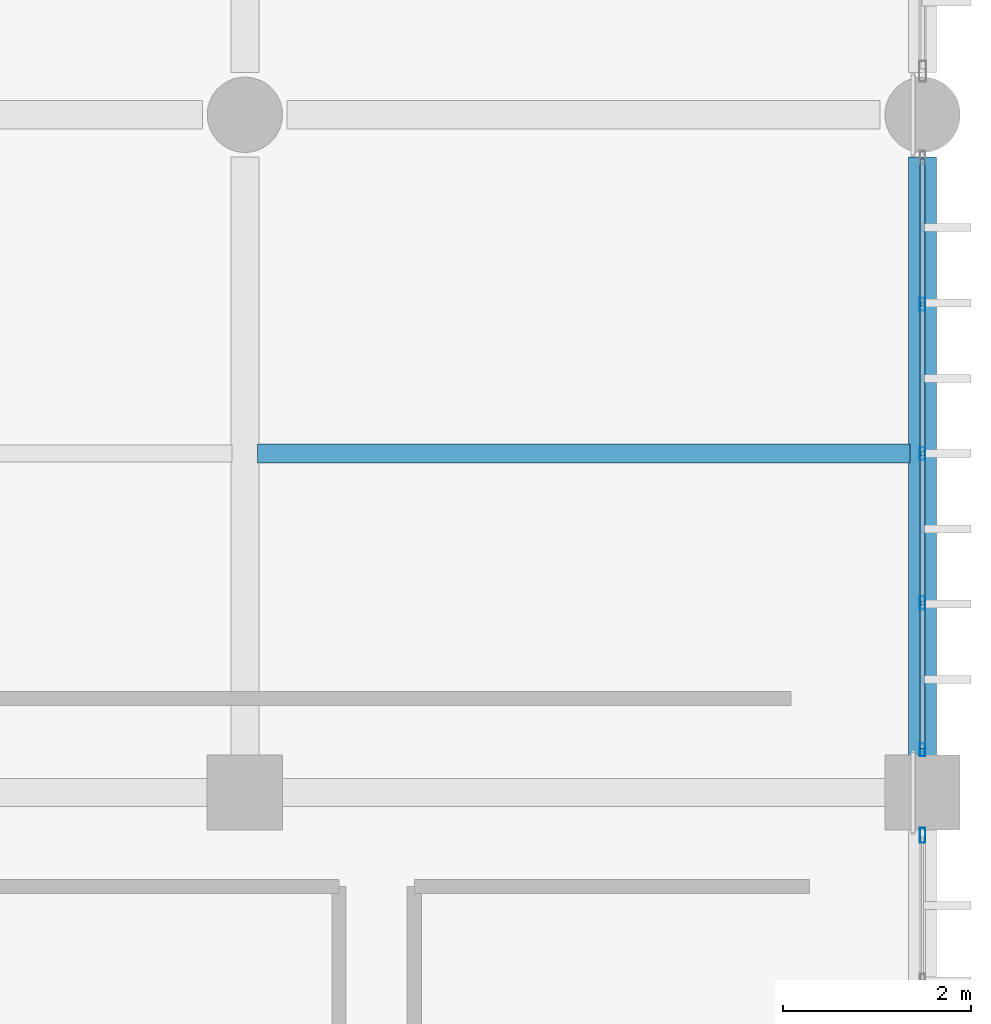
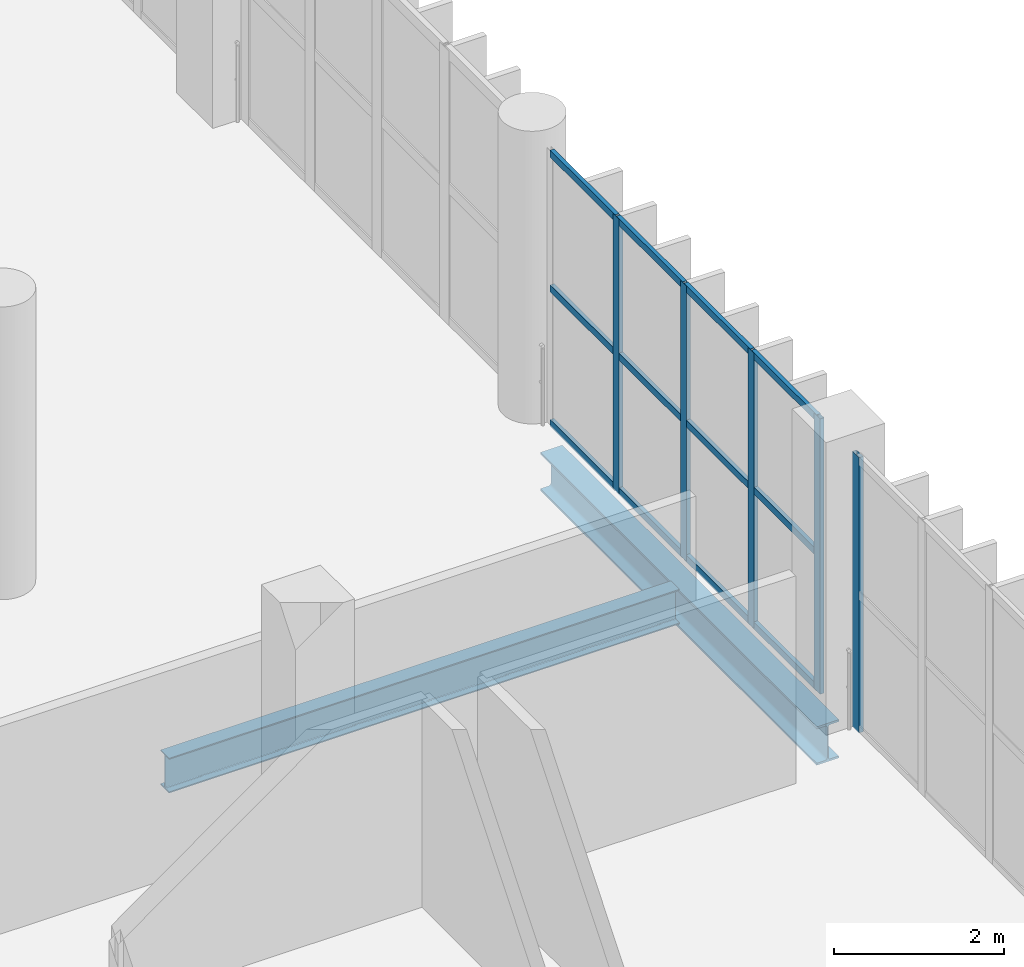
# One storey, part 78 of 153: 17 members, 2 beams, 2 elements without a shape of their own.
"""IFC4 building model written with IfcOpenShell, lengths in metres."""

from ifc_helpers import new_model, si_unit, direction, frame, origin, origin_2d, place, context, subcontext, project, spatial, hollow_rectangle, i_section, extrude, material, material_profile, profile_set, type_object, element, aggregate, save


model = new_model("IFC4")

# Units and contexts
model_context = context("Model", 3, precision=1e-05, world=origin(), true_north=direction((0.0, 1.0)))
body_context = subcontext(model_context, "Body", "Model", "MODEL_VIEW")
ifc_project = project(units=[si_unit("LENGTHUNIT", "METRE"), si_unit("AREAUNIT", "SQUARE_METRE"), si_unit("VOLUMEUNIT", "CUBIC_METRE"), si_unit("PLANEANGLEUNIT", "RADIAN"), si_unit("MASSUNIT", "GRAM", prefix="KILO")], contexts=[model_context])

# Site, building, storey
site_placement = place(None, origin())
site = spatial("IfcSite", under=ifc_project, at=site_placement, CompositionType="ELEMENT")
building_placement = place(site_placement, origin())
building = spatial("IfcBuilding", under=site, at=building_placement, Name="Qandorah Velis Arena", CompositionType="ELEMENT")
storey_placement = place(building_placement, frame((0.0, 0.0, 5.39990234375)))
storey = spatial("IfcBuildingStorey", under=building, at=storey_placement, Name="L01", CompositionType="ELEMENT", Elevation=5.39990234375)

# Curtain wall, members
ifc_material_1 = material(Name="Solar-control low-E double glazing", Category="glass")
curtain_wall_type_1 = type_object("IfcCurtainWallType", Name="ARC-CW-SYS20", PredefinedType="USERDEFINED", material=ifc_material_1)
curtain_wall_1_placement = place(storey_placement, origin())
curtain_wall_1 = element("IfcCurtainWall", 1, at=curtain_wall_1_placement, inside=storey, type_object=curtain_wall_type_1, Name="Unitised curtain wall L01-140", ObjectType="UNITISED CURTAIN WALL", PredefinedType="USERDEFINED")
ifc_material_2 = material(Name="Champagne-bronze anodized aluminium 6063-T6", Category="aluminium")
ifc_material_profile_1 = material_profile(ifc_material_2, hollow_rectangle(XDim=0.054931640625, YDim=0.139892578125, WallThickness=0.0029296875, at=origin_2d()), Name="ALU MULLION 55x140")
ifc_profile_set_1 = profile_set([ifc_material_profile_1], Name="Champagne-bronze anodized aluminium 6063-T6")
member_type_1 = type_object("IfcMemberType", Name="ARC-CWM-140", PredefinedType="MULLION", material=ifc_profile_set_1)
member_1_placement = place(storey_placement, frame((172.800048828125, 58.052490234375, -0.014892578125), z_axis=(0.0, 0.0, 1.0), x_axis=(-1.0, 0.0, 0.0)))
member_1 = element("IfcMember", 2, at=member_1_placement, type_object=member_type_1, Name="CW20 mullion 1", PredefinedType="MULLION", context=body_context, shape_type="SweptSolid", body=[
    extrude(hollow_rectangle(XDim=0.054931640625, YDim=0.139892578125, WallThickness=0.0029296875, at=origin_2d()), origin(), (0.0, 0.0, 1.0), 3.949951171875),
])
member_2_placement = place(storey_placement, frame((172.800048828125, 59.612548828125, -0.014892578125), z_axis=(0.0, 0.0, 1.0), x_axis=(-1.0, 0.0, 0.0)))
member_2 = element("IfcMember", 3, at=member_2_placement, type_object=member_type_1, Name="CW20 mullion 2", PredefinedType="MULLION", context=body_context, shape_type="SweptSolid", body=[
    extrude(hollow_rectangle(XDim=0.054931640625, YDim=0.139892578125, WallThickness=0.0029296875, at=origin_2d()), origin(), (0.0, 0.0, 1.0), 3.949951171875),
])
member_3_placement = place(storey_placement, frame((172.800048828125, 61.199951171875, -0.014892578125), z_axis=(0.0, 0.0, 1.0), x_axis=(-1.0, 0.0, 0.0)))
member_3 = element("IfcMember", 4, at=member_3_placement, type_object=member_type_1, Name="CW20 mullion 3", PredefinedType="MULLION", context=body_context, shape_type="SweptSolid", body=[
    extrude(hollow_rectangle(XDim=0.054931640625, YDim=0.139892578125, WallThickness=0.0029296875, at=origin_2d()), origin(), (0.0, 0.0, 1.0), 3.949951171875),
])
member_4_placement = place(storey_placement, frame((172.800048828125, 62.78759765625, -0.014892578125), z_axis=(0.0, 0.0, 1.0), x_axis=(-1.0, 0.0, 0.0)))
member_4 = element("IfcMember", 5, at=member_4_placement, type_object=member_type_1, Name="CW20 mullion 4", PredefinedType="MULLION", context=body_context, shape_type="SweptSolid", body=[
    extrude(hollow_rectangle(XDim=0.054931640625, YDim=0.139892578125, WallThickness=0.0029296875, at=origin_2d()), origin(), (0.0, 0.0, 1.0), 3.949951171875),
])

# Curtain wall, member
curtain_wall_type_2 = type_object("IfcCurtainWallType", Name="ARC-CW-SYS19", PredefinedType="USERDEFINED", material=ifc_material_1)
curtain_wall_2_placement = place(storey_placement, origin())
curtain_wall_2 = element("IfcCurtainWall", 6, at=curtain_wall_2_placement, inside=storey, type_object=curtain_wall_type_2, Name="Unitised curtain wall L01-139", ObjectType="UNITISED CURTAIN WALL", PredefinedType="USERDEFINED")
ifc_material_profile_2 = material_profile(ifc_material_2, hollow_rectangle(XDim=0.06005859375, YDim=0.159912109375, WallThickness=0.00341796875, at=origin_2d()), Name="ALU MULLION 60x160")
ifc_profile_set_2 = profile_set([ifc_material_profile_2], Name="Champagne-bronze anodized aluminium 6063-T6")
member_type_2 = type_object("IfcMemberType", Name="ARC-CWM-160", PredefinedType="MULLION", material=ifc_profile_set_2)
member_5_placement = place(storey_placement, frame((172.800048828125, 57.14501953125, -0.014892578125), z_axis=(0.0, 0.0, 1.0), x_axis=(-1.0, 0.0, 0.0)))
member_5 = element("IfcMember", 7, at=member_5_placement, type_object=member_type_2, Name="CW19 mullion 5", PredefinedType="MULLION", context=body_context, shape_type="SweptSolid", body=[
    extrude(hollow_rectangle(XDim=0.06005859375, YDim=0.159912109375, WallThickness=0.00341796875, at=origin_2d()), origin(), (0.0, 0.0, 1.0), 3.949951171875),
])
aggregate(curtain_wall_2, [member_5])

# Member
ifc_material_profile_3 = material_profile(ifc_material_2, hollow_rectangle(XDim=0.054931640625, YDim=0.10009765625, WallThickness=0.0029296875, at=origin_2d()), Name="ALU TRANSOM 55x100")
ifc_profile_set_3 = profile_set([ifc_material_profile_3], Name="Champagne-bronze anodized aluminium 6063-T6")
member_type_3 = type_object("IfcMemberType", Name="ARC-CWT-100", PredefinedType="USERDEFINED", material=ifc_profile_set_3)
member_6_placement = place(storey_placement, frame((172.800048828125, 58.068115234375, 0.027587890625), z_axis=(0.0, 1.0, 0.0), x_axis=(-1.0, 0.0, 0.0)))
member_6 = element("IfcMember", 8, at=member_6_placement, type_object=member_type_3, Name="CW20 transom 1.1", ObjectType="TRANSOM", PredefinedType="USERDEFINED", context=body_context, shape_type="SweptSolid", body=[
    extrude(hollow_rectangle(XDim=0.054931640625, YDim=0.10009765625, WallThickness=0.0029296875, at=origin_2d()), origin(), (0.0, 0.0, 1.0), 1.52880859375),
])

member_7_placement = place(storey_placement, frame((172.800048828125, 58.068115234375, 1.960205078125), z_axis=(0.0, 1.0, 0.0), x_axis=(-1.0, 0.0, 0.0)))
member_7 = element("IfcMember", 9, at=member_7_placement, type_object=member_type_3, Name="CW20 transom 1.2", ObjectType="TRANSOM", PredefinedType="USERDEFINED", context=body_context, shape_type="SweptSolid", body=[
    extrude(hollow_rectangle(XDim=0.054931640625, YDim=0.10009765625, WallThickness=0.0029296875, at=origin_2d()), origin(), (0.0, 0.0, 1.0), 1.52880859375),
])

member_8_placement = place(storey_placement, frame((172.800048828125, 58.068115234375, 3.892578125), z_axis=(0.0, 1.0, 0.0), x_axis=(-1.0, 0.0, 0.0)))
member_8 = element("IfcMember", 10, at=member_8_placement, type_object=member_type_3, Name="CW20 transom 1.3", ObjectType="TRANSOM", PredefinedType="USERDEFINED", context=body_context, shape_type="SweptSolid", body=[
    extrude(hollow_rectangle(XDim=0.054931640625, YDim=0.10009765625, WallThickness=0.0029296875, at=origin_2d()), origin(), (0.0, 0.0, 1.0), 1.52880859375),
])

member_9_placement = place(storey_placement, frame((172.800048828125, 59.6279296875, 0.027587890625), z_axis=(0.0, 1.0, 0.0), x_axis=(-1.0, 0.0, 0.0)))
member_9 = element("IfcMember", 11, at=member_9_placement, type_object=member_type_3, Name="CW20 transom 2.1", ObjectType="TRANSOM", PredefinedType="USERDEFINED", context=body_context, shape_type="SweptSolid", body=[
    extrude(hollow_rectangle(XDim=0.054931640625, YDim=0.10009765625, WallThickness=0.0029296875, at=origin_2d()), origin(), (0.0, 0.0, 1.0), 1.556640625),
])

member_10_placement = place(storey_placement, frame((172.800048828125, 59.6279296875, 1.960205078125), z_axis=(0.0, 1.0, 0.0), x_axis=(-1.0, 0.0, 0.0)))
member_10 = element("IfcMember", 12, at=member_10_placement, type_object=member_type_3, Name="CW20 transom 2.2", ObjectType="TRANSOM", PredefinedType="USERDEFINED", context=body_context, shape_type="SweptSolid", body=[
    extrude(hollow_rectangle(XDim=0.054931640625, YDim=0.10009765625, WallThickness=0.0029296875, at=origin_2d()), origin(), (0.0, 0.0, 1.0), 1.556640625),
])

member_11_placement = place(storey_placement, frame((172.800048828125, 59.6279296875, 3.892578125), z_axis=(0.0, 1.0, 0.0), x_axis=(-1.0, 0.0, 0.0)))
member_11 = element("IfcMember", 13, at=member_11_placement, type_object=member_type_3, Name="CW20 transom 2.3", ObjectType="TRANSOM", PredefinedType="USERDEFINED", context=body_context, shape_type="SweptSolid", body=[
    extrude(hollow_rectangle(XDim=0.054931640625, YDim=0.10009765625, WallThickness=0.0029296875, at=origin_2d()), origin(), (0.0, 0.0, 1.0), 1.556640625),
])

member_12_placement = place(storey_placement, frame((172.800048828125, 61.215576171875, 0.027587890625), z_axis=(0.0, 1.0, 0.0), x_axis=(-1.0, 0.0, 0.0)))
member_12 = element("IfcMember", 14, at=member_12_placement, type_object=member_type_3, Name="CW20 transom 3.1", ObjectType="TRANSOM", PredefinedType="USERDEFINED", context=body_context, shape_type="SweptSolid", body=[
    extrude(hollow_rectangle(XDim=0.054931640625, YDim=0.10009765625, WallThickness=0.0029296875, at=origin_2d()), origin(), (0.0, 0.0, 1.0), 1.556396484375),
])

member_13_placement = place(storey_placement, frame((172.800048828125, 61.215576171875, 1.960205078125), z_axis=(0.0, 1.0, 0.0), x_axis=(-1.0, 0.0, 0.0)))
member_13 = element("IfcMember", 15, at=member_13_placement, type_object=member_type_3, Name="CW20 transom 3.2", ObjectType="TRANSOM", PredefinedType="USERDEFINED", context=body_context, shape_type="SweptSolid", body=[
    extrude(hollow_rectangle(XDim=0.054931640625, YDim=0.10009765625, WallThickness=0.0029296875, at=origin_2d()), origin(), (0.0, 0.0, 1.0), 1.556396484375),
])

member_14_placement = place(storey_placement, frame((172.800048828125, 61.215576171875, 3.892578125), z_axis=(0.0, 1.0, 0.0), x_axis=(-1.0, 0.0, 0.0)))
member_14 = element("IfcMember", 16, at=member_14_placement, type_object=member_type_3, Name="CW20 transom 3.3", ObjectType="TRANSOM", PredefinedType="USERDEFINED", context=body_context, shape_type="SweptSolid", body=[
    extrude(hollow_rectangle(XDim=0.054931640625, YDim=0.10009765625, WallThickness=0.0029296875, at=origin_2d()), origin(), (0.0, 0.0, 1.0), 1.556396484375),
])

member_15_placement = place(storey_placement, frame((172.800048828125, 62.802978515625, 0.027587890625), z_axis=(0.0, 1.0, 0.0), x_axis=(-1.0, 0.0, 0.0)))
member_15 = element("IfcMember", 17, at=member_15_placement, type_object=member_type_3, Name="CW20 transom 4.1", ObjectType="TRANSOM", PredefinedType="USERDEFINED", context=body_context, shape_type="SweptSolid", body=[
    extrude(hollow_rectangle(XDim=0.054931640625, YDim=0.10009765625, WallThickness=0.0029296875, at=origin_2d()), origin(), (0.0, 0.0, 1.0), 1.529052734375),
])

member_16_placement = place(storey_placement, frame((172.800048828125, 62.802978515625, 1.960205078125), z_axis=(0.0, 1.0, 0.0), x_axis=(-1.0, 0.0, 0.0)))
member_16 = element("IfcMember", 18, at=member_16_placement, type_object=member_type_3, Name="CW20 transom 4.2", ObjectType="TRANSOM", PredefinedType="USERDEFINED", context=body_context, shape_type="SweptSolid", body=[
    extrude(hollow_rectangle(XDim=0.054931640625, YDim=0.10009765625, WallThickness=0.0029296875, at=origin_2d()), origin(), (0.0, 0.0, 1.0), 1.529052734375),
])

member_17_placement = place(storey_placement, frame((172.800048828125, 62.802978515625, 3.892578125), z_axis=(0.0, 1.0, 0.0), x_axis=(-1.0, 0.0, 0.0)))
member_17 = element("IfcMember", 19, at=member_17_placement, type_object=member_type_3, Name="CW20 transom 4.3", ObjectType="TRANSOM", PredefinedType="USERDEFINED", context=body_context, shape_type="SweptSolid", body=[
    extrude(hollow_rectangle(XDim=0.054931640625, YDim=0.10009765625, WallThickness=0.0029296875, at=origin_2d()), origin(), (0.0, 0.0, 1.0), 1.529052734375),
])

aggregate(curtain_wall_1, [member_1, member_2, member_3, member_4, member_6, member_7, member_8, member_9, member_10, member_11, member_12, member_13, member_14, member_15, member_16, member_17])

# Beams
ifc_material_3 = material(Name="Steel S355", Category="steel")
ifc_material_profile_4 = material_profile(ifc_material_3, i_section(OverallWidth=0.300048828125, OverallDepth=0.550048828125, WebThickness=0.014892578125, FlangeThickness=0.029052734375, FilletRadius=0.027099609375, at=origin_2d()), Name="HEB 550")
ifc_profile_set_4 = profile_set([ifc_material_profile_4], Name="Steel S355")
beam_type_1 = type_object("IfcBeamType", Name="STR-BM-HEB550", PredefinedType="BEAM", material=ifc_profile_set_4)
beam_1_placement = place(storey_placement, frame((172.800048828125, 57.85009765625, -0.635009765625), z_axis=(0.0, 1.0, 0.0), x_axis=(-1.0, 0.0, 0.0)))
element("IfcBeam", 20, at=beam_1_placement, inside=storey, type_object=beam_type_1, Name="Primary floor girder L01 Y-422", PredefinedType="BEAM", context=body_context, shape_type="SweptSolid", body=[
    extrude(i_section(OverallWidth=0.300048828125, OverallDepth=0.550048828125, WebThickness=0.014892578125, FlangeThickness=0.029052734375, FilletRadius=0.027099609375, at=origin_2d()), origin(), (0.0, 0.0, 1.0), 6.5),
])
ifc_material_profile_5 = material_profile(ifc_material_3, i_section(OverallWidth=0.199951171875, OverallDepth=0.5, WebThickness=0.01025390625, FlangeThickness=0.01611328125, FilletRadius=0.02099609375, at=origin_2d()), Name="IPE 500")
ifc_profile_set_5 = profile_set([ifc_material_profile_5], Name="Steel S355")
beam_type_2 = type_object("IfcBeamType", Name="STR-JST-IPE500", PredefinedType="JOIST", material=ifc_profile_set_5)
beam_2_placement = place(storey_placement, frame((165.735107421875, 61.199951171875, -0.60986328125), z_axis=(1.0, 0.0, 0.0), x_axis=(0.0, 1.0, 0.0)))
element("IfcBeam", 21, at=beam_2_placement, inside=storey, type_object=beam_type_2, Name="Secondary floor joist L01-152", PredefinedType="JOIST", context=body_context, shape_type="SweptSolid", body=[
    extrude(i_section(OverallWidth=0.199951171875, OverallDepth=0.5, WebThickness=0.01025390625, FlangeThickness=0.01611328125, FilletRadius=0.02099609375, at=origin_2d()), origin(), (0.0, 0.0, 1.0), 6.929931640625),
])

save(model, "model.ifc")
